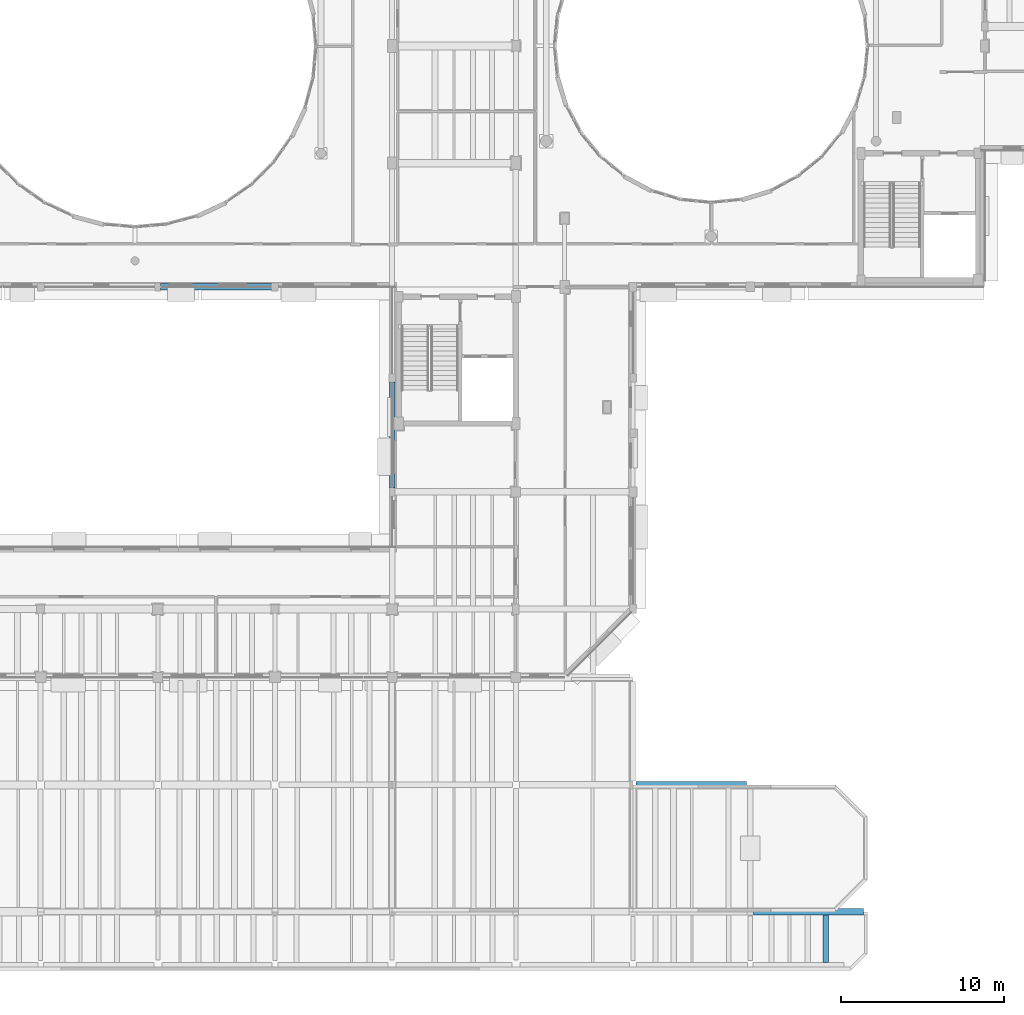
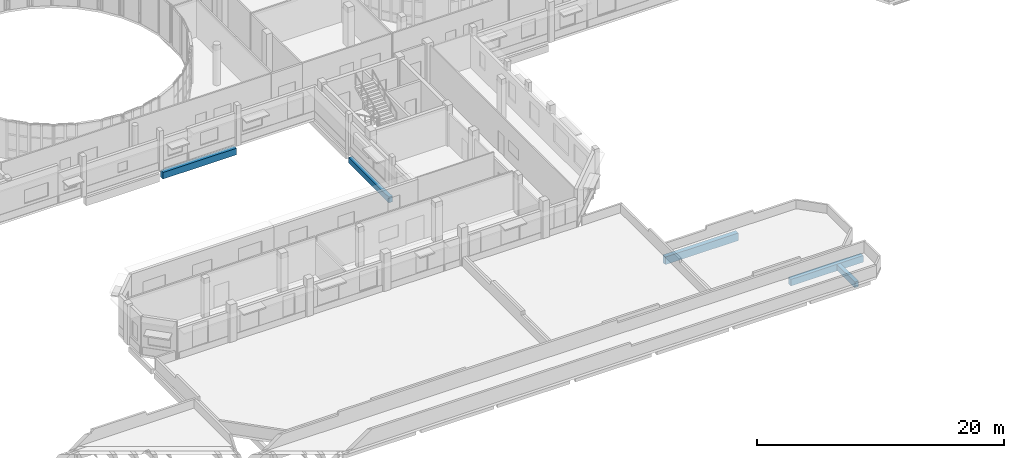
# One storey, part 27 of 105: 5 beams.
"""IFC4 building model written with IfcOpenShell, lengths in metres."""

from ifc_helpers import new_model, si_unit, direction, frame, origin, origin_2d, place, context, subcontext, project, spatial, rectangle, extrude, material, material_profile, profile_set, type_object, element, save


model = new_model("IFC4")

# Units and contexts
model_context = context("Model", 3, precision=1e-05, world=origin(), true_north=direction((0.0, 1.0)))
body_context = subcontext(model_context, "Body", "Model", "MODEL_VIEW")
ifc_project = project(units=[si_unit("LENGTHUNIT", "METRE"), si_unit("AREAUNIT", "SQUARE_METRE"), si_unit("VOLUMEUNIT", "CUBIC_METRE"), si_unit("PLANEANGLEUNIT", "RADIAN"), si_unit("MASSUNIT", "GRAM", prefix="KILO")], contexts=[model_context])

# Site, building, storey
site_placement = place(None, origin())
site = spatial("IfcSite", under=ifc_project, at=site_placement, CompositionType="ELEMENT")
building_placement = place(site_placement, origin())
building = spatial("IfcBuilding", under=site, at=building_placement, Name="Kelanivale Promenade Academy", CompositionType="ELEMENT")
storey_placement = place(building_placement, frame((0.0, 0.0, 4.199951171875)))
storey = spatial("IfcBuildingStorey", under=building, at=storey_placement, Name="L01", CompositionType="ELEMENT", Elevation=4.199951171875)

# Beams
ifc_material = material(Name="Concrete C35/45", Category="concrete")
ifc_material_profile_1 = material_profile(ifc_material, rectangle(XDim=0.39990234375, YDim=0.64990234375, at=origin_2d()), Name="RC-BM 400x650")
ifc_profile_set_1 = profile_set([ifc_material_profile_1], Name="Concrete C35/45")
beam_type_1 = type_object("IfcBeamType", Name="BM-01 RC-BM 400x650", PredefinedType="BEAM", material=ifc_profile_set_1)
beam_1_placement = place(storey_placement, frame((101.39501953125, 3.60009765625, -0.56494140625), z_axis=(1.0, 0.0, 0.0), x_axis=(0.0, 1.0, 0.0)))
element("IfcBeam", 1, at=beam_1_placement, inside=storey, type_object=beam_type_1, Name="L01 girder BM-01", PredefinedType="BEAM", context=body_context, shape_type="SweptSolid", body=[
    extrude(rectangle(XDim=0.39990234375, YDim=0.64990234375, at=origin_2d()), origin(), (0.0, 0.0, 1.0), 6.760009765625),
])
beam_2_placement = place(storey_placement, frame((64.969970703125, 42.0, -0.544921875), z_axis=(1.0, 0.0, 0.0), x_axis=(0.0, 1.0, 0.0)))
element("IfcBeam", 2, at=beam_2_placement, inside=storey, type_object=beam_type_1, Name="L01 girder BM-01", PredefinedType="BEAM", context=body_context, shape_type="SweptSolid", body=[
    extrude(rectangle(XDim=0.39990234375, YDim=0.64990234375, at=origin_2d()), origin(), (0.0, 0.0, 1.0), 6.8349609375),
])
ifc_material_profile_2 = material_profile(ifc_material, rectangle(XDim=0.39990234375, YDim=0.75, at=origin_2d()), Name="RC-BM 400x750")
ifc_profile_set_2 = profile_set([ifc_material_profile_2], Name="Concrete C35/45")
beam_type_2 = type_object("IfcBeamType", Name="BM-13 RC-BM 400x750", PredefinedType="BEAM", material=ifc_profile_set_2)
beam_3_placement = place(storey_placement, frame((94.169921875, 11.39990234375, -0.614990234375), z_axis=(1.0, 0.0, 0.0), x_axis=(0.0, 1.0, 0.0)))
element("IfcBeam", 3, at=beam_3_placement, inside=storey, type_object=beam_type_2, Name="L01 girder BM-13", PredefinedType="BEAM", context=body_context, shape_type="SweptSolid", body=[
    extrude(rectangle(XDim=0.39990234375, YDim=0.75, at=origin_2d()), origin(), (0.0, 0.0, 1.0), 6.81005859375),
])
ifc_material_profile_3 = material_profile(ifc_material, rectangle(XDim=0.35009765625, YDim=0.550048828125, at=origin_2d()), Name="RC-BM 350x550")
ifc_profile_set_3 = profile_set([ifc_material_profile_3], Name="Concrete C35/45")
beam_type_3 = type_object("IfcBeamType", Name="JS-06 RC-BM 350x550", PredefinedType="JOIST", material=ifc_profile_set_3)
beam_4_placement = place(storey_placement, frame((79.199951171875, 29.64501953125, -0.494873046875), z_axis=(0.0, 1.0, 0.0), x_axis=(-1.0, 0.0, 0.0)))
element("IfcBeam", 4, at=beam_4_placement, inside=storey, type_object=beam_type_3, Name="L01 beam JS-06", PredefinedType="JOIST", context=body_context, shape_type="SweptSolid", body=[
    extrude(rectangle(XDim=0.35009765625, YDim=0.550048828125, at=origin_2d()), origin(), (0.0, 0.0, 1.0), 6.510009765625),
])
beam_5_placement = place(storey_placement, frame((105.843017578125, 0.489990234375, -0.514892578125), z_axis=(0.0, 1.0, 0.0), x_axis=(-1.0, 0.0, 0.0)))
element("IfcBeam", 5, at=beam_5_placement, inside=storey, type_object=beam_type_3, Name="L01 secondary sub-beam JS-06", PredefinedType="JOIST", context=body_context, shape_type="SweptSolid", body=[
    extrude(rectangle(XDim=0.35009765625, YDim=0.550048828125, at=origin_2d()), origin(), (0.0, 0.0, 1.0), 2.909912109375),
])

save(model, "model.ifc")
